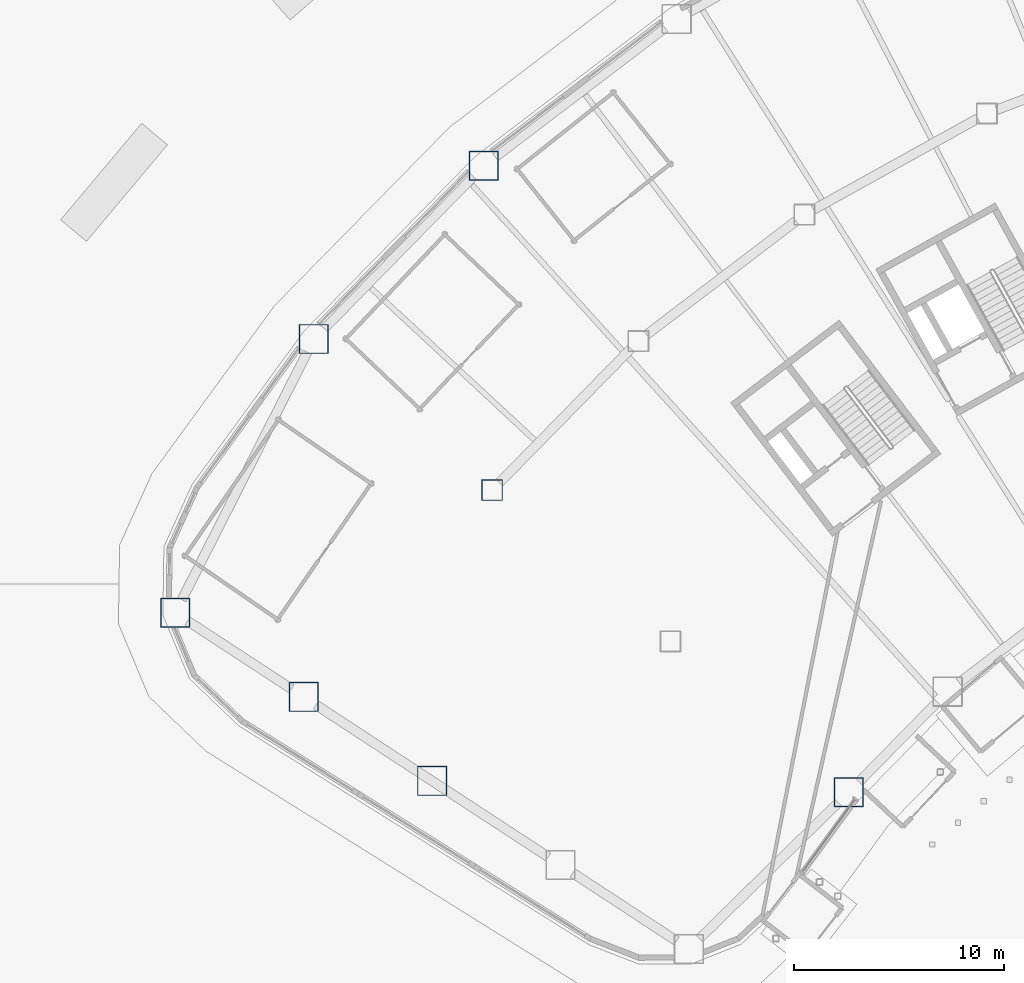
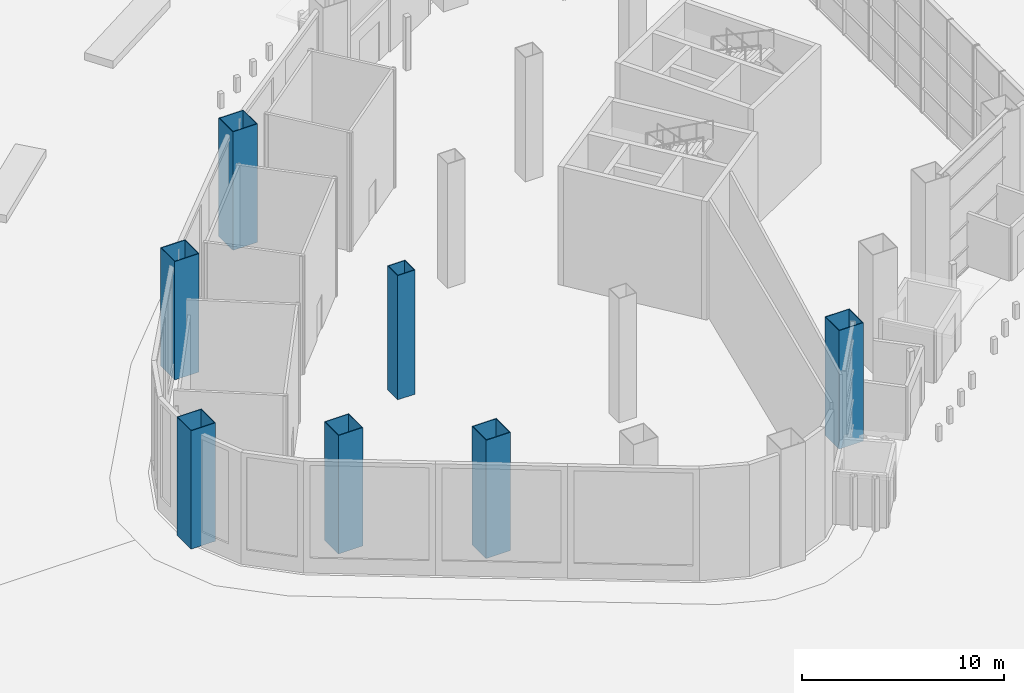
# One storey, part 4 of 45: 7 columns.
"""IFC4 building model written with IfcOpenShell, lengths in metres."""

from ifc_helpers import new_model, si_unit, direction, frame, origin, origin_2d, place, context, subcontext, project, spatial, hollow_rectangle, extrude, material, material_profile, profile_set, type_object, element, save


model = new_model("IFC4")

# Units and contexts
model_context = context("Model", 3, precision=1e-05, world=origin(), true_north=direction((0.0, 1.0)))
body_context = subcontext(model_context, "Body", "Model", "MODEL_VIEW")
ifc_project = project(units=[si_unit("LENGTHUNIT", "METRE"), si_unit("AREAUNIT", "SQUARE_METRE"), si_unit("VOLUMEUNIT", "CUBIC_METRE"), si_unit("PLANEANGLEUNIT", "RADIAN"), si_unit("MASSUNIT", "GRAM", prefix="KILO")], contexts=[model_context])

# Site, building, storey
site_placement = place(None, origin())
site = spatial("IfcSite", under=ifc_project, at=site_placement, CompositionType="ELEMENT")
building_placement = place(site_placement, origin())
building = spatial("IfcBuilding", under=site, at=building_placement, Name="Tuul Gate Civic Tower", CompositionType="ELEMENT")
storey_placement = place(building_placement, origin())
storey = spatial("IfcBuildingStorey", under=building, at=storey_placement, Name="Level 00", CompositionType="ELEMENT", Elevation=0.0)

# Columns
ifc_material_1 = material(Name="Steel S355", Category="steel")
ifc_material_profile_1 = material_profile(ifc_material_1, hollow_rectangle(XDim=1.0, YDim=1.0, WallThickness=0.0400390625, at=origin_2d()), Name="BOX1000x1000x40")
ifc_profile_set_1 = profile_set([ifc_material_profile_1], Name="Steel S355")
column_type_1 = type_object("IfcColumnType", Name="STR-COLUMN-BOX1000x1000x40", PredefinedType="COLUMN", material=ifc_profile_set_1)
column_placement = place(storey_placement, frame((-52.471435546875, -15.52392578125, 0.0), z_axis=(0.0, 0.0, 1.0), x_axis=(1.0, 0.0, 0.0)))
element("IfcColumn", 1, at=column_placement, inside=storey, type_object=column_type_1, Name="Interior column", PredefinedType="COLUMN", context=body_context, shape_type="SweptSolid", body=[
    extrude(hollow_rectangle(XDim=1.0, YDim=1.0, WallThickness=0.0400390625, at=origin_2d()), origin(), (0.0, 0.0, 1.0), 7.5),
])
ifc_material_2 = material(Name="Steel S355", Category="steel")
ifc_material_profile_2 = material_profile(ifc_material_2, hollow_rectangle(XDim=1.39990234375, YDim=1.39990234375, WallThickness=0.0400390625, at=origin_2d()), Name="BOX1400x1400x40")
ifc_profile_set_2 = profile_set([ifc_material_profile_2], Name="Steel S355")
column_type_2 = type_object("IfcColumnType", Name="STR-COLUMN-BOX1400x1400x40", PredefinedType="COLUMN", material=ifc_profile_set_2)
for number, where, z_axis, x_axis, name in (
    (2, (-52.8779296875, -0.08203125, 0.0), (0.0, 0.0, 1.0), (1.0, 0.0, 0.0), "Column"),
    (3, (-60.9609375, -8.327880859375, 0.0), (0.0, 0.0, 1.0), (1.0, 0.0, 0.0), "Column"),
    (4, (-67.56201171875, -21.366943359375, 0.0), (0.0, 0.0, 1.0), (1.0, 0.0, 0.0), "Column"),
    (5, (-61.447021484375, -25.368896484375, 0.0), (0.0, 0.0, 1.0), (1.0, 0.0, 0.0), "Column"),
    (6, (-55.33203125, -29.37109375, 0.0), (0.0, 0.0, 1.0), (1.0, 0.0, 0.0), "Column"),
    (7, (-35.491943359375, -29.916015625, 0.0), (0.0, 0.0, 1.0), (1.0, 0.0, 0.0), "Column"),
):
    element("IfcColumn", number, at=place(storey_placement, frame(where, z_axis=z_axis, x_axis=x_axis)), inside=storey, type_object=column_type_2, Name=name, PredefinedType="COLUMN", context=body_context, shape_type="SweptSolid", body=[
        extrude(hollow_rectangle(XDim=1.39990234375, YDim=1.39990234375, WallThickness=0.0400390625, at=origin_2d()), origin(), (0.0, 0.0, 1.0), 7.14990234375),
    ])

save(model, "model.ifc")
